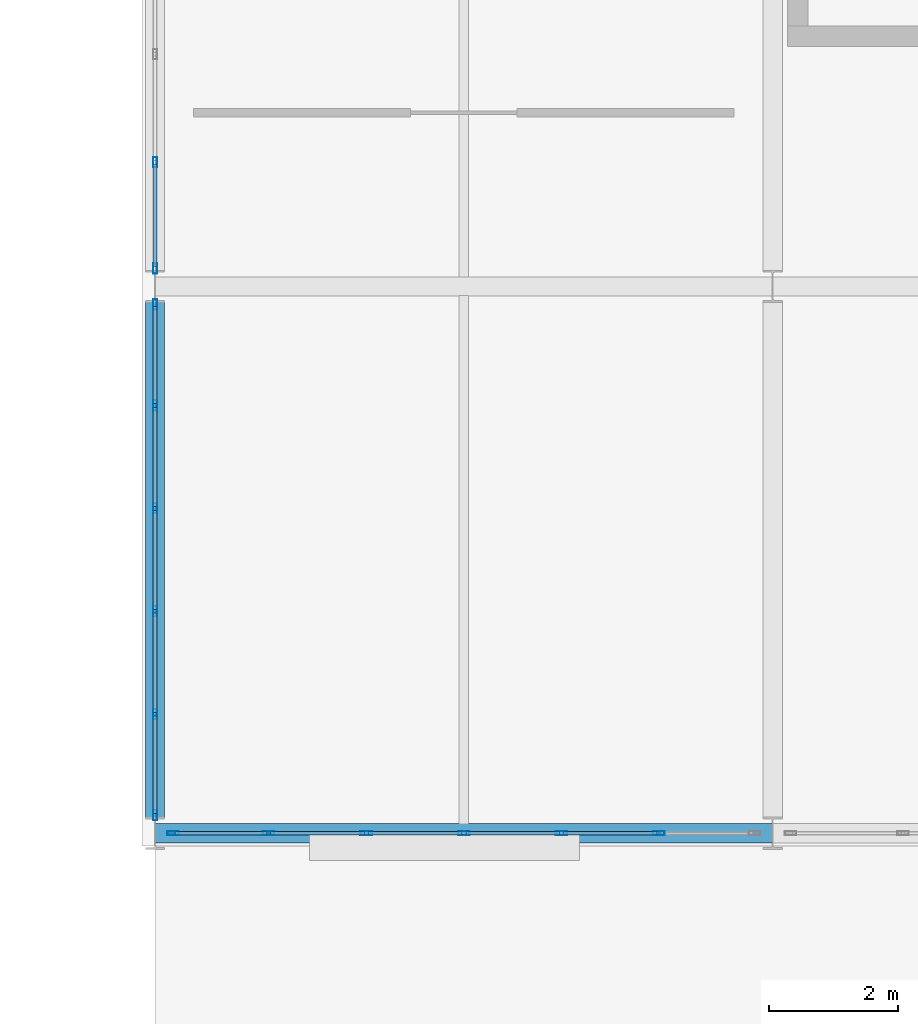
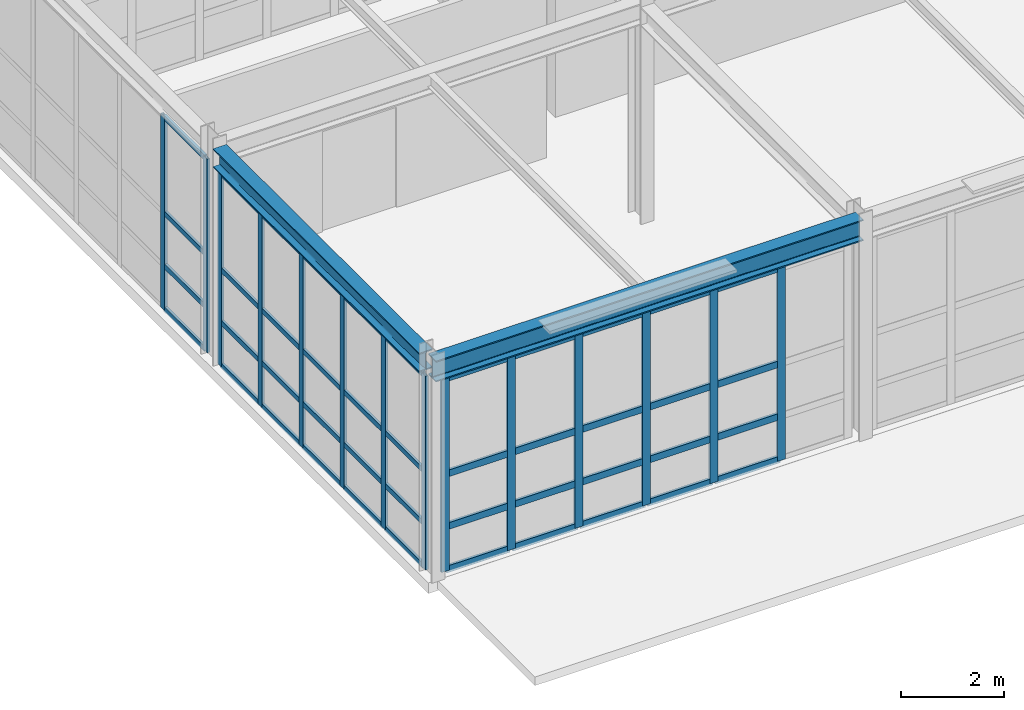
# One storey, part 90 of 210: 58 members, 2 beams, 3 elements without a shape of their own.
"""IFC4 building model written with IfcOpenShell, lengths in metres."""

from ifc_helpers import new_model, si_unit, direction, frame, origin, origin_2d, place, context, subcontext, project, spatial, hollow_rectangle, i_section, extrude, material, material_profile, profile_set, type_object, element, aggregate, save


model = new_model("IFC4")

# Units and contexts
model_context = context("Model", 3, precision=1e-05, world=origin(), true_north=direction((0.0, 1.0)))
body_context = subcontext(model_context, "Body", "Model", "MODEL_VIEW")
ifc_project = project(units=[si_unit("LENGTHUNIT", "METRE"), si_unit("AREAUNIT", "SQUARE_METRE"), si_unit("VOLUMEUNIT", "CUBIC_METRE"), si_unit("PLANEANGLEUNIT", "RADIAN"), si_unit("MASSUNIT", "GRAM", prefix="KILO")], contexts=[model_context])

# Site, building, storey
site_placement = place(None, origin())
site = spatial("IfcSite", under=ifc_project, at=site_placement, CompositionType="ELEMENT")
building_placement = place(site_placement, origin())
building = spatial("IfcBuilding", under=site, at=building_placement, Name="Kaldris Quays Convention Centre", CompositionType="ELEMENT")
storey_placement = place(building_placement, frame((0.0, 0.0, 6.0)))
storey = spatial("IfcBuildingStorey", under=building, at=storey_placement, Name="L01", CompositionType="ELEMENT", Elevation=6.0)

# Curtain wall, members
ifc_material_1 = material(Name="Anodized aluminium AW-6060 and triple glazing", Category="aluminium")
curtain_wall_type = type_object("IfcCurtainWallType", Name="UNITISED CURTAIN WALL CW02", PredefinedType="NOTDEFINED", material=ifc_material_1)
curtain_wall_1_placement = place(storey_placement, origin())
curtain_wall_1 = element("IfcCurtainWall", 1, at=curtain_wall_1_placement, inside=storey, type_object=curtain_wall_type, Name="L01 Unitised Curtain Wall CW02 195", PredefinedType="NOTDEFINED")
ifc_material_2 = material(Name="Anodized aluminium AW-6060", Category="aluminium")
ifc_material_profile_1 = material_profile(ifc_material_2, hollow_rectangle(XDim=0.06005859375, YDim=0.159912109375, WallThickness=0.00390625, at=origin_2d()), Name="RHS 160x60x4")
ifc_profile_set_1 = profile_set([ifc_material_profile_1], Name="Anodized aluminium AW-6060")
member_type_1 = type_object("IfcMemberType", Name="CURTAIN MULLION CWM1", PredefinedType="MULLION", material=ifc_profile_set_1)
member_1_placement = place(storey_placement, frame((155.0, 20.280029296875, 0.0), z_axis=(0.0, 0.0, 1.0), x_axis=(-1.0, 0.0, 0.0)))
member_1 = element("IfcMember", 2, at=member_1_placement, type_object=member_type_1, Name="CW02 mullion 1", PredefinedType="MULLION", context=body_context, shape_type="SweptSolid", body=[
    extrude(hollow_rectangle(XDim=0.06005859375, YDim=0.159912109375, WallThickness=0.00390625, at=origin_2d()), origin(), (0.0, 0.0, 1.0), 4.60009765625),
])
member_2_placement = place(storey_placement, frame((155.0, 21.85009765625, 0.0), z_axis=(0.0, 0.0, 1.0), x_axis=(-1.0, 0.0, 0.0)))
member_2 = element("IfcMember", 3, at=member_2_placement, type_object=member_type_1, Name="CW02 mullion 2", PredefinedType="MULLION", context=body_context, shape_type="SweptSolid", body=[
    extrude(hollow_rectangle(XDim=0.06005859375, YDim=0.159912109375, WallThickness=0.00390625, at=origin_2d()), origin(), (0.0, 0.0, 1.0), 4.60009765625),
])
member_3_placement = place(storey_placement, frame((155.0, 23.449951171875, 0.0), z_axis=(0.0, 0.0, 1.0), x_axis=(-1.0, 0.0, 0.0)))
member_3 = element("IfcMember", 4, at=member_3_placement, type_object=member_type_1, Name="CW02 mullion 3", PredefinedType="MULLION", context=body_context, shape_type="SweptSolid", body=[
    extrude(hollow_rectangle(XDim=0.06005859375, YDim=0.159912109375, WallThickness=0.00390625, at=origin_2d()), origin(), (0.0, 0.0, 1.0), 4.60009765625),
])
member_4_placement = place(storey_placement, frame((155.0, 25.050048828125, 0.0), z_axis=(0.0, 0.0, 1.0), x_axis=(-1.0, 0.0, 0.0)))
member_4 = element("IfcMember", 5, at=member_4_placement, type_object=member_type_1, Name="CW02 mullion 4", PredefinedType="MULLION", context=body_context, shape_type="SweptSolid", body=[
    extrude(hollow_rectangle(XDim=0.06005859375, YDim=0.159912109375, WallThickness=0.00390625, at=origin_2d()), origin(), (0.0, 0.0, 1.0), 4.60009765625),
])
member_5_placement = place(storey_placement, frame((155.0, 26.64990234375, 0.0), z_axis=(0.0, 0.0, 1.0), x_axis=(-1.0, 0.0, 0.0)))
member_5 = element("IfcMember", 6, at=member_5_placement, type_object=member_type_1, Name="CW02 mullion 5", PredefinedType="MULLION", context=body_context, shape_type="SweptSolid", body=[
    extrude(hollow_rectangle(XDim=0.06005859375, YDim=0.159912109375, WallThickness=0.00390625, at=origin_2d()), origin(), (0.0, 0.0, 1.0), 4.60009765625),
])
member_6_placement = place(storey_placement, frame((155.0, 28.219970703125, 0.0), z_axis=(0.0, 0.0, 1.0), x_axis=(-1.0, 0.0, 0.0)))
member_6 = element("IfcMember", 7, at=member_6_placement, type_object=member_type_1, Name="CW02 mullion 6", PredefinedType="MULLION", context=body_context, shape_type="SweptSolid", body=[
    extrude(hollow_rectangle(XDim=0.06005859375, YDim=0.159912109375, WallThickness=0.00390625, at=origin_2d()), origin(), (0.0, 0.0, 1.0), 4.60009765625),
])

curtain_wall_2_placement = place(storey_placement, origin())
curtain_wall_2 = element("IfcCurtainWall", 8, at=curtain_wall_2_placement, inside=storey, type_object=curtain_wall_type, Name="L01 Unitised Curtain Wall CW02 197", PredefinedType="NOTDEFINED")
member_7_placement = place(storey_placement, frame((155.0, 28.780029296875, 0.0), z_axis=(0.0, 0.0, 1.0), x_axis=(-1.0, 0.0, 0.0)))
member_7 = element("IfcMember", 9, at=member_7_placement, type_object=member_type_1, Name="CW02 mullion 1", PredefinedType="MULLION", context=body_context, shape_type="SweptSolid", body=[
    extrude(hollow_rectangle(XDim=0.06005859375, YDim=0.159912109375, WallThickness=0.00390625, at=origin_2d()), origin(), (0.0, 0.0, 1.0), 4.60009765625),
])
member_8_placement = place(storey_placement, frame((155.0, 30.429931640625, 0.0), z_axis=(0.0, 0.0, 1.0), x_axis=(-1.0, 0.0, 0.0)))
member_8 = element("IfcMember", 10, at=member_8_placement, type_object=member_type_1, Name="CW02 mullion 2", PredefinedType="MULLION", context=body_context, shape_type="SweptSolid", body=[
    extrude(hollow_rectangle(XDim=0.06005859375, YDim=0.159912109375, WallThickness=0.00390625, at=origin_2d()), origin(), (0.0, 0.0, 1.0), 4.60009765625),
])

curtain_wall_3_placement = place(storey_placement, origin())
curtain_wall_3 = element("IfcCurtainWall", 11, at=curtain_wall_3_placement, inside=storey, type_object=curtain_wall_type, Name="L01 Unitised Curtain Wall CW02 185", PredefinedType="NOTDEFINED")
ifc_material_profile_2 = material_profile(ifc_material_2, hollow_rectangle(XDim=0.06005859375, YDim=0.179931640625, WallThickness=0.0048828125, at=origin_2d()), Name="RHS 180x60x5")
ifc_profile_set_2 = profile_set([ifc_material_profile_2], Name="Anodized aluminium AW-6060")
member_type_2 = type_object("IfcMemberType", Name="CURTAIN MULLION CWM2", PredefinedType="MULLION", material=ifc_profile_set_2)
member_9_placement = place(storey_placement, frame((155.280029296875, 20.0, 0.0), z_axis=(0.0, 0.0, 1.0), x_axis=(0.0, 1.0, 0.0)))
member_9 = element("IfcMember", 12, at=member_9_placement, type_object=member_type_2, Name="CW02 mullion 1", PredefinedType="MULLION", context=body_context, shape_type="SweptSolid", body=[
    extrude(hollow_rectangle(XDim=0.06005859375, YDim=0.179931640625, WallThickness=0.0048828125, at=origin_2d()), origin(), (0.0, 0.0, 1.0), 4.60009765625),
])
member_10_placement = place(storey_placement, frame((156.7666015625, 20.0, 0.0), z_axis=(0.0, 0.0, 1.0), x_axis=(0.0, 1.0, 0.0)))
member_10 = element("IfcMember", 13, at=member_10_placement, type_object=member_type_2, Name="CW02 mullion 2", PredefinedType="MULLION", context=body_context, shape_type="SweptSolid", body=[
    extrude(hollow_rectangle(XDim=0.06005859375, YDim=0.179931640625, WallThickness=0.0048828125, at=origin_2d()), origin(), (0.0, 0.0, 1.0), 4.60009765625),
])
member_11_placement = place(storey_placement, frame((158.283447265625, 20.0, 0.0), z_axis=(0.0, 0.0, 1.0), x_axis=(0.0, 1.0, 0.0)))
member_11 = element("IfcMember", 14, at=member_11_placement, type_object=member_type_2, Name="CW02 mullion 3", PredefinedType="MULLION", context=body_context, shape_type="SweptSolid", body=[
    extrude(hollow_rectangle(XDim=0.06005859375, YDim=0.179931640625, WallThickness=0.0048828125, at=origin_2d()), origin(), (0.0, 0.0, 1.0), 4.60009765625),
])
member_12_placement = place(storey_placement, frame((159.800048828125, 20.0, 0.0), z_axis=(0.0, 0.0, 1.0), x_axis=(0.0, 1.0, 0.0)))
member_12 = element("IfcMember", 15, at=member_12_placement, type_object=member_type_2, Name="CW02 mullion 4", PredefinedType="MULLION", context=body_context, shape_type="SweptSolid", body=[
    extrude(hollow_rectangle(XDim=0.06005859375, YDim=0.179931640625, WallThickness=0.0048828125, at=origin_2d()), origin(), (0.0, 0.0, 1.0), 4.60009765625),
])
member_13_placement = place(storey_placement, frame((161.316650390625, 20.0, 0.0), z_axis=(0.0, 0.0, 1.0), x_axis=(0.0, 1.0, 0.0)))
member_13 = element("IfcMember", 16, at=member_13_placement, type_object=member_type_2, Name="CW02 mullion 5", PredefinedType="MULLION", context=body_context, shape_type="SweptSolid", body=[
    extrude(hollow_rectangle(XDim=0.06005859375, YDim=0.179931640625, WallThickness=0.0048828125, at=origin_2d()), origin(), (0.0, 0.0, 1.0), 4.60009765625),
])
member_14_placement = place(storey_placement, frame((162.833251953125, 20.0, 0.0), z_axis=(0.0, 0.0, 1.0), x_axis=(0.0, 1.0, 0.0)))
member_14 = element("IfcMember", 17, at=member_14_placement, type_object=member_type_2, Name="CW02 mullion 6", PredefinedType="MULLION", context=body_context, shape_type="SweptSolid", body=[
    extrude(hollow_rectangle(XDim=0.06005859375, YDim=0.179931640625, WallThickness=0.0048828125, at=origin_2d()), origin(), (0.0, 0.0, 1.0), 4.60009765625),
])

# Member
ifc_material_profile_3 = material_profile(ifc_material_2, hollow_rectangle(XDim=0.06005859375, YDim=0.1201171875, WallThickness=0.00390625, at=origin_2d()), Name="RHS 120x60x4")
ifc_profile_set_3 = profile_set([ifc_material_profile_3], Name="Anodized aluminium AW-6060")
member_type_3 = type_object("IfcMemberType", Name="CURTAIN TRANSOM CWT1", PredefinedType="USERDEFINED", material=ifc_profile_set_3)
member_15_placement = place(storey_placement, frame((155.0, 20.31005859375, 0.030029296875), z_axis=(0.0, 1.0, 0.0), x_axis=(-1.0, 0.0, 0.0)))
member_15 = element("IfcMember", 18, at=member_15_placement, type_object=member_type_3, Name="CW02 transom 1.1", ObjectType="TRANSOM", PredefinedType="USERDEFINED", context=body_context, shape_type="SweptSolid", body=[
    extrude(hollow_rectangle(XDim=0.06005859375, YDim=0.1201171875, WallThickness=0.00390625, at=origin_2d()), origin(), (0.0, 0.0, 1.0), 1.510009765625),
])

member_16_placement = place(storey_placement, frame((155.0, 20.31005859375, 1.050048828125), z_axis=(0.0, 1.0, 0.0), x_axis=(-1.0, 0.0, 0.0)))
member_16 = element("IfcMember", 19, at=member_16_placement, type_object=member_type_3, Name="CW02 transom 1.2", ObjectType="TRANSOM", PredefinedType="USERDEFINED", context=body_context, shape_type="SweptSolid", body=[
    extrude(hollow_rectangle(XDim=0.06005859375, YDim=0.1201171875, WallThickness=0.00390625, at=origin_2d()), origin(), (0.0, 0.0, 1.0), 1.510009765625),
])

member_17_placement = place(storey_placement, frame((155.0, 20.31005859375, 2.300048828125), z_axis=(0.0, 1.0, 0.0), x_axis=(-1.0, 0.0, 0.0)))
member_17 = element("IfcMember", 20, at=member_17_placement, type_object=member_type_3, Name="CW02 transom 1.3", ObjectType="TRANSOM", PredefinedType="USERDEFINED", context=body_context, shape_type="SweptSolid", body=[
    extrude(hollow_rectangle(XDim=0.06005859375, YDim=0.1201171875, WallThickness=0.00390625, at=origin_2d()), origin(), (0.0, 0.0, 1.0), 1.510009765625),
])

member_18_placement = place(storey_placement, frame((155.0, 20.31005859375, 4.570068359375), z_axis=(0.0, 1.0, 0.0), x_axis=(-1.0, 0.0, 0.0)))
member_18 = element("IfcMember", 21, at=member_18_placement, type_object=member_type_3, Name="CW02 transom 1.4", ObjectType="TRANSOM", PredefinedType="USERDEFINED", context=body_context, shape_type="SweptSolid", body=[
    extrude(hollow_rectangle(XDim=0.06005859375, YDim=0.1201171875, WallThickness=0.00390625, at=origin_2d()), origin(), (0.0, 0.0, 1.0), 1.510009765625),
])

member_19_placement = place(storey_placement, frame((155.0, 21.8798828125, 0.030029296875), z_axis=(0.0, 1.0, 0.0), x_axis=(-1.0, 0.0, 0.0)))
member_19 = element("IfcMember", 22, at=member_19_placement, type_object=member_type_3, Name="CW02 transom 2.1", ObjectType="TRANSOM", PredefinedType="USERDEFINED", context=body_context, shape_type="SweptSolid", body=[
    extrude(hollow_rectangle(XDim=0.06005859375, YDim=0.1201171875, WallThickness=0.00390625, at=origin_2d()), origin(), (0.0, 0.0, 1.0), 1.5400390625),
])

member_20_placement = place(storey_placement, frame((155.0, 21.8798828125, 1.050048828125), z_axis=(0.0, 1.0, 0.0), x_axis=(-1.0, 0.0, 0.0)))
member_20 = element("IfcMember", 23, at=member_20_placement, type_object=member_type_3, Name="CW02 transom 2.2", ObjectType="TRANSOM", PredefinedType="USERDEFINED", context=body_context, shape_type="SweptSolid", body=[
    extrude(hollow_rectangle(XDim=0.06005859375, YDim=0.1201171875, WallThickness=0.00390625, at=origin_2d()), origin(), (0.0, 0.0, 1.0), 1.5400390625),
])

member_21_placement = place(storey_placement, frame((155.0, 21.8798828125, 2.300048828125), z_axis=(0.0, 1.0, 0.0), x_axis=(-1.0, 0.0, 0.0)))
member_21 = element("IfcMember", 24, at=member_21_placement, type_object=member_type_3, Name="CW02 transom 2.3", ObjectType="TRANSOM", PredefinedType="USERDEFINED", context=body_context, shape_type="SweptSolid", body=[
    extrude(hollow_rectangle(XDim=0.06005859375, YDim=0.1201171875, WallThickness=0.00390625, at=origin_2d()), origin(), (0.0, 0.0, 1.0), 1.5400390625),
])

member_22_placement = place(storey_placement, frame((155.0, 21.8798828125, 4.570068359375), z_axis=(0.0, 1.0, 0.0), x_axis=(-1.0, 0.0, 0.0)))
member_22 = element("IfcMember", 25, at=member_22_placement, type_object=member_type_3, Name="CW02 transom 2.4", ObjectType="TRANSOM", PredefinedType="USERDEFINED", context=body_context, shape_type="SweptSolid", body=[
    extrude(hollow_rectangle(XDim=0.06005859375, YDim=0.1201171875, WallThickness=0.00390625, at=origin_2d()), origin(), (0.0, 0.0, 1.0), 1.5400390625),
])

member_23_placement = place(storey_placement, frame((155.0, 23.47998046875, 0.030029296875), z_axis=(0.0, 1.0, 0.0), x_axis=(-1.0, 0.0, 0.0)))
member_23 = element("IfcMember", 26, at=member_23_placement, type_object=member_type_3, Name="CW02 transom 3.1", ObjectType="TRANSOM", PredefinedType="USERDEFINED", context=body_context, shape_type="SweptSolid", body=[
    extrude(hollow_rectangle(XDim=0.06005859375, YDim=0.1201171875, WallThickness=0.00390625, at=origin_2d()), origin(), (0.0, 0.0, 1.0), 1.5400390625),
])

member_24_placement = place(storey_placement, frame((155.0, 23.47998046875, 1.050048828125), z_axis=(0.0, 1.0, 0.0), x_axis=(-1.0, 0.0, 0.0)))
member_24 = element("IfcMember", 27, at=member_24_placement, type_object=member_type_3, Name="CW02 transom 3.2", ObjectType="TRANSOM", PredefinedType="USERDEFINED", context=body_context, shape_type="SweptSolid", body=[
    extrude(hollow_rectangle(XDim=0.06005859375, YDim=0.1201171875, WallThickness=0.00390625, at=origin_2d()), origin(), (0.0, 0.0, 1.0), 1.5400390625),
])

member_25_placement = place(storey_placement, frame((155.0, 23.47998046875, 2.300048828125), z_axis=(0.0, 1.0, 0.0), x_axis=(-1.0, 0.0, 0.0)))
member_25 = element("IfcMember", 28, at=member_25_placement, type_object=member_type_3, Name="CW02 transom 3.3", ObjectType="TRANSOM", PredefinedType="USERDEFINED", context=body_context, shape_type="SweptSolid", body=[
    extrude(hollow_rectangle(XDim=0.06005859375, YDim=0.1201171875, WallThickness=0.00390625, at=origin_2d()), origin(), (0.0, 0.0, 1.0), 1.5400390625),
])

member_26_placement = place(storey_placement, frame((155.0, 23.47998046875, 4.570068359375), z_axis=(0.0, 1.0, 0.0), x_axis=(-1.0, 0.0, 0.0)))
member_26 = element("IfcMember", 29, at=member_26_placement, type_object=member_type_3, Name="CW02 transom 3.4", ObjectType="TRANSOM", PredefinedType="USERDEFINED", context=body_context, shape_type="SweptSolid", body=[
    extrude(hollow_rectangle(XDim=0.06005859375, YDim=0.1201171875, WallThickness=0.00390625, at=origin_2d()), origin(), (0.0, 0.0, 1.0), 1.5400390625),
])

member_27_placement = place(storey_placement, frame((155.0, 25.080078125, 0.030029296875), z_axis=(0.0, 1.0, 0.0), x_axis=(-1.0, 0.0, 0.0)))
member_27 = element("IfcMember", 30, at=member_27_placement, type_object=member_type_3, Name="CW02 transom 4.1", ObjectType="TRANSOM", PredefinedType="USERDEFINED", context=body_context, shape_type="SweptSolid", body=[
    extrude(hollow_rectangle(XDim=0.06005859375, YDim=0.1201171875, WallThickness=0.00390625, at=origin_2d()), origin(), (0.0, 0.0, 1.0), 1.5400390625),
])

member_28_placement = place(storey_placement, frame((155.0, 25.080078125, 1.050048828125), z_axis=(0.0, 1.0, 0.0), x_axis=(-1.0, 0.0, 0.0)))
member_28 = element("IfcMember", 31, at=member_28_placement, type_object=member_type_3, Name="CW02 transom 4.2", ObjectType="TRANSOM", PredefinedType="USERDEFINED", context=body_context, shape_type="SweptSolid", body=[
    extrude(hollow_rectangle(XDim=0.06005859375, YDim=0.1201171875, WallThickness=0.00390625, at=origin_2d()), origin(), (0.0, 0.0, 1.0), 1.5400390625),
])

member_29_placement = place(storey_placement, frame((155.0, 25.080078125, 2.300048828125), z_axis=(0.0, 1.0, 0.0), x_axis=(-1.0, 0.0, 0.0)))
member_29 = element("IfcMember", 32, at=member_29_placement, type_object=member_type_3, Name="CW02 transom 4.3", ObjectType="TRANSOM", PredefinedType="USERDEFINED", context=body_context, shape_type="SweptSolid", body=[
    extrude(hollow_rectangle(XDim=0.06005859375, YDim=0.1201171875, WallThickness=0.00390625, at=origin_2d()), origin(), (0.0, 0.0, 1.0), 1.5400390625),
])

member_30_placement = place(storey_placement, frame((155.0, 25.080078125, 4.570068359375), z_axis=(0.0, 1.0, 0.0), x_axis=(-1.0, 0.0, 0.0)))
member_30 = element("IfcMember", 33, at=member_30_placement, type_object=member_type_3, Name="CW02 transom 4.4", ObjectType="TRANSOM", PredefinedType="USERDEFINED", context=body_context, shape_type="SweptSolid", body=[
    extrude(hollow_rectangle(XDim=0.06005859375, YDim=0.1201171875, WallThickness=0.00390625, at=origin_2d()), origin(), (0.0, 0.0, 1.0), 1.5400390625),
])

member_31_placement = place(storey_placement, frame((155.0, 26.679931640625, 0.030029296875), z_axis=(0.0, 1.0, 0.0), x_axis=(-1.0, 0.0, 0.0)))
member_31 = element("IfcMember", 34, at=member_31_placement, type_object=member_type_3, Name="CW02 transom 5.1", ObjectType="TRANSOM", PredefinedType="USERDEFINED", context=body_context, shape_type="SweptSolid", body=[
    extrude(hollow_rectangle(XDim=0.06005859375, YDim=0.1201171875, WallThickness=0.00390625, at=origin_2d()), origin(), (0.0, 0.0, 1.0), 1.510009765625),
])

member_32_placement = place(storey_placement, frame((155.0, 26.679931640625, 1.050048828125), z_axis=(0.0, 1.0, 0.0), x_axis=(-1.0, 0.0, 0.0)))
member_32 = element("IfcMember", 35, at=member_32_placement, type_object=member_type_3, Name="CW02 transom 5.2", ObjectType="TRANSOM", PredefinedType="USERDEFINED", context=body_context, shape_type="SweptSolid", body=[
    extrude(hollow_rectangle(XDim=0.06005859375, YDim=0.1201171875, WallThickness=0.00390625, at=origin_2d()), origin(), (0.0, 0.0, 1.0), 1.510009765625),
])

member_33_placement = place(storey_placement, frame((155.0, 26.679931640625, 2.300048828125), z_axis=(0.0, 1.0, 0.0), x_axis=(-1.0, 0.0, 0.0)))
member_33 = element("IfcMember", 36, at=member_33_placement, type_object=member_type_3, Name="CW02 transom 5.3", ObjectType="TRANSOM", PredefinedType="USERDEFINED", context=body_context, shape_type="SweptSolid", body=[
    extrude(hollow_rectangle(XDim=0.06005859375, YDim=0.1201171875, WallThickness=0.00390625, at=origin_2d()), origin(), (0.0, 0.0, 1.0), 1.510009765625),
])

member_34_placement = place(storey_placement, frame((155.0, 26.679931640625, 4.570068359375), z_axis=(0.0, 1.0, 0.0), x_axis=(-1.0, 0.0, 0.0)))
member_34 = element("IfcMember", 37, at=member_34_placement, type_object=member_type_3, Name="CW02 transom 5.4", ObjectType="TRANSOM", PredefinedType="USERDEFINED", context=body_context, shape_type="SweptSolid", body=[
    extrude(hollow_rectangle(XDim=0.06005859375, YDim=0.1201171875, WallThickness=0.00390625, at=origin_2d()), origin(), (0.0, 0.0, 1.0), 1.510009765625),
])

aggregate(curtain_wall_1, [member_1, member_2, member_3, member_4, member_5, member_6, member_15, member_16, member_17, member_18, member_19, member_20, member_21, member_22, member_23, member_24, member_25, member_26, member_27, member_28, member_29, member_30, member_31, member_32, member_33, member_34])

member_35_placement = place(storey_placement, frame((155.0, 28.81005859375, 0.030029296875), z_axis=(0.0, 1.0, 0.0), x_axis=(-1.0, 0.0, 0.0)))
member_35 = element("IfcMember", 38, at=member_35_placement, type_object=member_type_3, Name="CW02 transom 1.1", ObjectType="TRANSOM", PredefinedType="USERDEFINED", context=body_context, shape_type="SweptSolid", body=[
    extrude(hollow_rectangle(XDim=0.06005859375, YDim=0.1201171875, WallThickness=0.00390625, at=origin_2d()), origin(), (0.0, 0.0, 1.0), 1.58984375),
])

member_36_placement = place(storey_placement, frame((155.0, 28.81005859375, 1.050048828125), z_axis=(0.0, 1.0, 0.0), x_axis=(-1.0, 0.0, 0.0)))
member_36 = element("IfcMember", 39, at=member_36_placement, type_object=member_type_3, Name="CW02 transom 1.2", ObjectType="TRANSOM", PredefinedType="USERDEFINED", context=body_context, shape_type="SweptSolid", body=[
    extrude(hollow_rectangle(XDim=0.06005859375, YDim=0.1201171875, WallThickness=0.00390625, at=origin_2d()), origin(), (0.0, 0.0, 1.0), 1.58984375),
])

member_37_placement = place(storey_placement, frame((155.0, 28.81005859375, 2.300048828125), z_axis=(0.0, 1.0, 0.0), x_axis=(-1.0, 0.0, 0.0)))
member_37 = element("IfcMember", 40, at=member_37_placement, type_object=member_type_3, Name="CW02 transom 1.3", ObjectType="TRANSOM", PredefinedType="USERDEFINED", context=body_context, shape_type="SweptSolid", body=[
    extrude(hollow_rectangle(XDim=0.06005859375, YDim=0.1201171875, WallThickness=0.00390625, at=origin_2d()), origin(), (0.0, 0.0, 1.0), 1.58984375),
])

member_38_placement = place(storey_placement, frame((155.0, 28.81005859375, 4.570068359375), z_axis=(0.0, 1.0, 0.0), x_axis=(-1.0, 0.0, 0.0)))
member_38 = element("IfcMember", 41, at=member_38_placement, type_object=member_type_3, Name="CW02 transom 1.4", ObjectType="TRANSOM", PredefinedType="USERDEFINED", context=body_context, shape_type="SweptSolid", body=[
    extrude(hollow_rectangle(XDim=0.06005859375, YDim=0.1201171875, WallThickness=0.00390625, at=origin_2d()), origin(), (0.0, 0.0, 1.0), 1.58984375),
])

aggregate(curtain_wall_2, [member_7, member_8, member_35, member_36, member_37, member_38])

ifc_material_profile_4 = material_profile(ifc_material_2, hollow_rectangle(XDim=0.06005859375, YDim=0.159912109375, WallThickness=0.00390625, at=origin_2d()), Name="RHS 160x60x4")
ifc_profile_set_4 = profile_set([ifc_material_profile_4], Name="Anodized aluminium AW-6060")
member_type_4 = type_object("IfcMemberType", Name="CURTAIN TRANSOM CWT2", PredefinedType="USERDEFINED", material=ifc_profile_set_4)
member_39_placement = place(storey_placement, frame((155.31005859375, 20.0, 0.030029296875), z_axis=(1.0, 0.0, 0.0), x_axis=(0.0, 1.0, 0.0)))
member_39 = element("IfcMember", 42, at=member_39_placement, type_object=member_type_4, Name="CW02 transom 1.1", ObjectType="TRANSOM", PredefinedType="USERDEFINED", context=body_context, shape_type="SweptSolid", body=[
    extrude(hollow_rectangle(XDim=0.06005859375, YDim=0.159912109375, WallThickness=0.00390625, at=origin_2d()), origin(), (0.0, 0.0, 1.0), 1.426513671875),
])

member_40_placement = place(storey_placement, frame((155.31005859375, 20.0, 1.050048828125), z_axis=(1.0, 0.0, 0.0), x_axis=(0.0, 1.0, 0.0)))
member_40 = element("IfcMember", 43, at=member_40_placement, type_object=member_type_4, Name="CW02 transom 1.2", ObjectType="TRANSOM", PredefinedType="USERDEFINED", context=body_context, shape_type="SweptSolid", body=[
    extrude(hollow_rectangle(XDim=0.06005859375, YDim=0.159912109375, WallThickness=0.00390625, at=origin_2d()), origin(), (0.0, 0.0, 1.0), 1.426513671875),
])

member_41_placement = place(storey_placement, frame((155.31005859375, 20.0, 2.300048828125), z_axis=(1.0, 0.0, 0.0), x_axis=(0.0, 1.0, 0.0)))
member_41 = element("IfcMember", 44, at=member_41_placement, type_object=member_type_4, Name="CW02 transom 1.3", ObjectType="TRANSOM", PredefinedType="USERDEFINED", context=body_context, shape_type="SweptSolid", body=[
    extrude(hollow_rectangle(XDim=0.06005859375, YDim=0.159912109375, WallThickness=0.00390625, at=origin_2d()), origin(), (0.0, 0.0, 1.0), 1.426513671875),
])

member_42_placement = place(storey_placement, frame((155.31005859375, 20.0, 4.570068359375), z_axis=(1.0, 0.0, 0.0), x_axis=(0.0, 1.0, 0.0)))
member_42 = element("IfcMember", 45, at=member_42_placement, type_object=member_type_4, Name="CW02 transom 1.4", ObjectType="TRANSOM", PredefinedType="USERDEFINED", context=body_context, shape_type="SweptSolid", body=[
    extrude(hollow_rectangle(XDim=0.06005859375, YDim=0.159912109375, WallThickness=0.00390625, at=origin_2d()), origin(), (0.0, 0.0, 1.0), 1.426513671875),
])

member_43_placement = place(storey_placement, frame((156.796630859375, 20.0, 0.030029296875), z_axis=(1.0, 0.0, 0.0), x_axis=(0.0, 1.0, 0.0)))
member_43 = element("IfcMember", 46, at=member_43_placement, type_object=member_type_4, Name="CW02 transom 2.1", ObjectType="TRANSOM", PredefinedType="USERDEFINED", context=body_context, shape_type="SweptSolid", body=[
    extrude(hollow_rectangle(XDim=0.06005859375, YDim=0.159912109375, WallThickness=0.00390625, at=origin_2d()), origin(), (0.0, 0.0, 1.0), 1.456787109375),
])

member_44_placement = place(storey_placement, frame((156.796630859375, 20.0, 1.050048828125), z_axis=(1.0, 0.0, 0.0), x_axis=(0.0, 1.0, 0.0)))
member_44 = element("IfcMember", 47, at=member_44_placement, type_object=member_type_4, Name="CW02 transom 2.2", ObjectType="TRANSOM", PredefinedType="USERDEFINED", context=body_context, shape_type="SweptSolid", body=[
    extrude(hollow_rectangle(XDim=0.06005859375, YDim=0.159912109375, WallThickness=0.00390625, at=origin_2d()), origin(), (0.0, 0.0, 1.0), 1.456787109375),
])

member_45_placement = place(storey_placement, frame((156.796630859375, 20.0, 2.300048828125), z_axis=(1.0, 0.0, 0.0), x_axis=(0.0, 1.0, 0.0)))
member_45 = element("IfcMember", 48, at=member_45_placement, type_object=member_type_4, Name="CW02 transom 2.3", ObjectType="TRANSOM", PredefinedType="USERDEFINED", context=body_context, shape_type="SweptSolid", body=[
    extrude(hollow_rectangle(XDim=0.06005859375, YDim=0.159912109375, WallThickness=0.00390625, at=origin_2d()), origin(), (0.0, 0.0, 1.0), 1.456787109375),
])

member_46_placement = place(storey_placement, frame((156.796630859375, 20.0, 4.570068359375), z_axis=(1.0, 0.0, 0.0), x_axis=(0.0, 1.0, 0.0)))
member_46 = element("IfcMember", 49, at=member_46_placement, type_object=member_type_4, Name="CW02 transom 2.4", ObjectType="TRANSOM", PredefinedType="USERDEFINED", context=body_context, shape_type="SweptSolid", body=[
    extrude(hollow_rectangle(XDim=0.06005859375, YDim=0.159912109375, WallThickness=0.00390625, at=origin_2d()), origin(), (0.0, 0.0, 1.0), 1.456787109375),
])

member_47_placement = place(storey_placement, frame((158.313232421875, 20.0, 0.030029296875), z_axis=(1.0, 0.0, 0.0), x_axis=(0.0, 1.0, 0.0)))
member_47 = element("IfcMember", 50, at=member_47_placement, type_object=member_type_4, Name="CW02 transom 3.1", ObjectType="TRANSOM", PredefinedType="USERDEFINED", context=body_context, shape_type="SweptSolid", body=[
    extrude(hollow_rectangle(XDim=0.06005859375, YDim=0.159912109375, WallThickness=0.00390625, at=origin_2d()), origin(), (0.0, 0.0, 1.0), 1.456787109375),
])

member_48_placement = place(storey_placement, frame((158.313232421875, 20.0, 1.050048828125), z_axis=(1.0, 0.0, 0.0), x_axis=(0.0, 1.0, 0.0)))
member_48 = element("IfcMember", 51, at=member_48_placement, type_object=member_type_4, Name="CW02 transom 3.2", ObjectType="TRANSOM", PredefinedType="USERDEFINED", context=body_context, shape_type="SweptSolid", body=[
    extrude(hollow_rectangle(XDim=0.06005859375, YDim=0.159912109375, WallThickness=0.00390625, at=origin_2d()), origin(), (0.0, 0.0, 1.0), 1.456787109375),
])

member_49_placement = place(storey_placement, frame((158.313232421875, 20.0, 2.300048828125), z_axis=(1.0, 0.0, 0.0), x_axis=(0.0, 1.0, 0.0)))
member_49 = element("IfcMember", 52, at=member_49_placement, type_object=member_type_4, Name="CW02 transom 3.3", ObjectType="TRANSOM", PredefinedType="USERDEFINED", context=body_context, shape_type="SweptSolid", body=[
    extrude(hollow_rectangle(XDim=0.06005859375, YDim=0.159912109375, WallThickness=0.00390625, at=origin_2d()), origin(), (0.0, 0.0, 1.0), 1.456787109375),
])

member_50_placement = place(storey_placement, frame((158.313232421875, 20.0, 4.570068359375), z_axis=(1.0, 0.0, 0.0), x_axis=(0.0, 1.0, 0.0)))
member_50 = element("IfcMember", 53, at=member_50_placement, type_object=member_type_4, Name="CW02 transom 3.4", ObjectType="TRANSOM", PredefinedType="USERDEFINED", context=body_context, shape_type="SweptSolid", body=[
    extrude(hollow_rectangle(XDim=0.06005859375, YDim=0.159912109375, WallThickness=0.00390625, at=origin_2d()), origin(), (0.0, 0.0, 1.0), 1.456787109375),
])

member_51_placement = place(storey_placement, frame((159.830078125, 20.0, 0.030029296875), z_axis=(1.0, 0.0, 0.0), x_axis=(0.0, 1.0, 0.0)))
member_51 = element("IfcMember", 54, at=member_51_placement, type_object=member_type_4, Name="CW02 transom 4.1", ObjectType="TRANSOM", PredefinedType="USERDEFINED", context=body_context, shape_type="SweptSolid", body=[
    extrude(hollow_rectangle(XDim=0.06005859375, YDim=0.159912109375, WallThickness=0.00390625, at=origin_2d()), origin(), (0.0, 0.0, 1.0), 1.45654296875),
])

member_52_placement = place(storey_placement, frame((159.830078125, 20.0, 1.050048828125), z_axis=(1.0, 0.0, 0.0), x_axis=(0.0, 1.0, 0.0)))
member_52 = element("IfcMember", 55, at=member_52_placement, type_object=member_type_4, Name="CW02 transom 4.2", ObjectType="TRANSOM", PredefinedType="USERDEFINED", context=body_context, shape_type="SweptSolid", body=[
    extrude(hollow_rectangle(XDim=0.06005859375, YDim=0.159912109375, WallThickness=0.00390625, at=origin_2d()), origin(), (0.0, 0.0, 1.0), 1.45654296875),
])

member_53_placement = place(storey_placement, frame((159.830078125, 20.0, 2.300048828125), z_axis=(1.0, 0.0, 0.0), x_axis=(0.0, 1.0, 0.0)))
member_53 = element("IfcMember", 56, at=member_53_placement, type_object=member_type_4, Name="CW02 transom 4.3", ObjectType="TRANSOM", PredefinedType="USERDEFINED", context=body_context, shape_type="SweptSolid", body=[
    extrude(hollow_rectangle(XDim=0.06005859375, YDim=0.159912109375, WallThickness=0.00390625, at=origin_2d()), origin(), (0.0, 0.0, 1.0), 1.45654296875),
])

member_54_placement = place(storey_placement, frame((159.830078125, 20.0, 4.570068359375), z_axis=(1.0, 0.0, 0.0), x_axis=(0.0, 1.0, 0.0)))
member_54 = element("IfcMember", 57, at=member_54_placement, type_object=member_type_4, Name="CW02 transom 4.4", ObjectType="TRANSOM", PredefinedType="USERDEFINED", context=body_context, shape_type="SweptSolid", body=[
    extrude(hollow_rectangle(XDim=0.06005859375, YDim=0.159912109375, WallThickness=0.00390625, at=origin_2d()), origin(), (0.0, 0.0, 1.0), 1.45654296875),
])

member_55_placement = place(storey_placement, frame((161.3466796875, 20.0, 0.030029296875), z_axis=(1.0, 0.0, 0.0), x_axis=(0.0, 1.0, 0.0)))
member_55 = element("IfcMember", 58, at=member_55_placement, type_object=member_type_4, Name="CW02 transom 5.1", ObjectType="TRANSOM", PredefinedType="USERDEFINED", context=body_context, shape_type="SweptSolid", body=[
    extrude(hollow_rectangle(XDim=0.06005859375, YDim=0.159912109375, WallThickness=0.00390625, at=origin_2d()), origin(), (0.0, 0.0, 1.0), 1.45654296875),
])

member_56_placement = place(storey_placement, frame((161.3466796875, 20.0, 1.050048828125), z_axis=(1.0, 0.0, 0.0), x_axis=(0.0, 1.0, 0.0)))
member_56 = element("IfcMember", 59, at=member_56_placement, type_object=member_type_4, Name="CW02 transom 5.2", ObjectType="TRANSOM", PredefinedType="USERDEFINED", context=body_context, shape_type="SweptSolid", body=[
    extrude(hollow_rectangle(XDim=0.06005859375, YDim=0.159912109375, WallThickness=0.00390625, at=origin_2d()), origin(), (0.0, 0.0, 1.0), 1.45654296875),
])

member_57_placement = place(storey_placement, frame((161.3466796875, 20.0, 2.300048828125), z_axis=(1.0, 0.0, 0.0), x_axis=(0.0, 1.0, 0.0)))
member_57 = element("IfcMember", 60, at=member_57_placement, type_object=member_type_4, Name="CW02 transom 5.3", ObjectType="TRANSOM", PredefinedType="USERDEFINED", context=body_context, shape_type="SweptSolid", body=[
    extrude(hollow_rectangle(XDim=0.06005859375, YDim=0.159912109375, WallThickness=0.00390625, at=origin_2d()), origin(), (0.0, 0.0, 1.0), 1.45654296875),
])

member_58_placement = place(storey_placement, frame((161.3466796875, 20.0, 4.570068359375), z_axis=(1.0, 0.0, 0.0), x_axis=(0.0, 1.0, 0.0)))
member_58 = element("IfcMember", 61, at=member_58_placement, type_object=member_type_4, Name="CW02 transom 5.4", ObjectType="TRANSOM", PredefinedType="USERDEFINED", context=body_context, shape_type="SweptSolid", body=[
    extrude(hollow_rectangle(XDim=0.06005859375, YDim=0.159912109375, WallThickness=0.00390625, at=origin_2d()), origin(), (0.0, 0.0, 1.0), 1.45654296875),
])

aggregate(curtain_wall_3, [member_9, member_10, member_11, member_12, member_13, member_14, member_39, member_40, member_41, member_42, member_43, member_44, member_45, member_46, member_47, member_48, member_49, member_50, member_51, member_52, member_53, member_54, member_55, member_56, member_57, member_58])

# Beams
ifc_material_3 = material(Name="Steel S355J2", Category="steel")
ifc_material_profile_5 = material_profile(ifc_material_3, i_section(OverallWidth=0.300048828125, OverallDepth=0.5, WebThickness=0.014404296875, FlangeThickness=0.028076171875, FilletRadius=0.027099609375, at=origin_2d()), Name="HEB 500")
ifc_profile_set_5 = profile_set([ifc_material_profile_5], Name="Steel S355J2")
beam_type_1 = type_object("IfcBeamType", Name="STRUCTURAL BEAM BM06", PredefinedType="BEAM", material=ifc_profile_set_5)
beam_1_placement = place(storey_placement, frame((155.001220703125, 20.0, 4.9130859375), z_axis=(1.0, 0.0, 0.0), x_axis=(0.0, 1.0, 0.0)))
element("IfcBeam", 62, at=beam_1_placement, inside=storey, type_object=beam_type_1, Name="L01 Girder BM06 1", PredefinedType="BEAM", context=body_context, shape_type="SweptSolid", body=[
    extrude(i_section(OverallWidth=0.300048828125, OverallDepth=0.5, WebThickness=0.014404296875, FlangeThickness=0.028076171875, FilletRadius=0.027099609375, at=origin_2d()), origin(), (0.0, 0.0, 1.0), 9.597412109375),
])
ifc_material_profile_6 = material_profile(ifc_material_3, i_section(OverallWidth=0.300048828125, OverallDepth=0.449951171875, WebThickness=0.013916015625, FlangeThickness=0.02587890625, FilletRadius=0.027099609375, at=origin_2d()), Name="HEB 450")
ifc_profile_set_6 = profile_set([ifc_material_profile_6], Name="Steel S355J2")
beam_type_2 = type_object("IfcBeamType", Name="STRUCTURAL BEAM BM07", PredefinedType="BEAM", material=ifc_profile_set_6)
beam_2_placement = place(storey_placement, frame((155.0, 20.243896484375, 4.93798828125), z_axis=(0.0, 1.0, 0.0), x_axis=(-1.0, 0.0, 0.0)))
element("IfcBeam", 63, at=beam_2_placement, inside=storey, type_object=beam_type_2, Name="L01 Girder BM07 16", PredefinedType="BEAM", context=body_context, shape_type="SweptSolid", body=[
    extrude(i_section(OverallWidth=0.300048828125, OverallDepth=0.449951171875, WebThickness=0.013916015625, FlangeThickness=0.02587890625, FilletRadius=0.027099609375, at=origin_2d()), origin(), (0.0, 0.0, 1.0), 8.01220703125),
])

save(model, "model.ifc")
